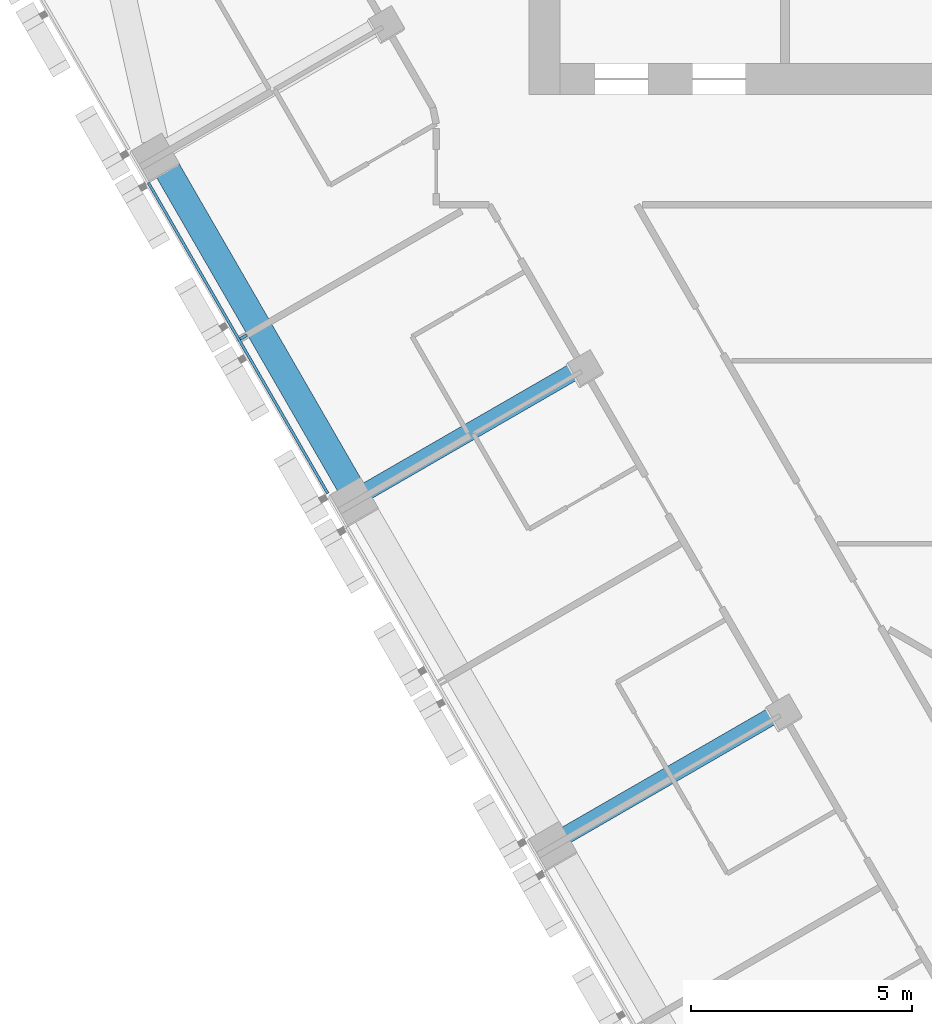
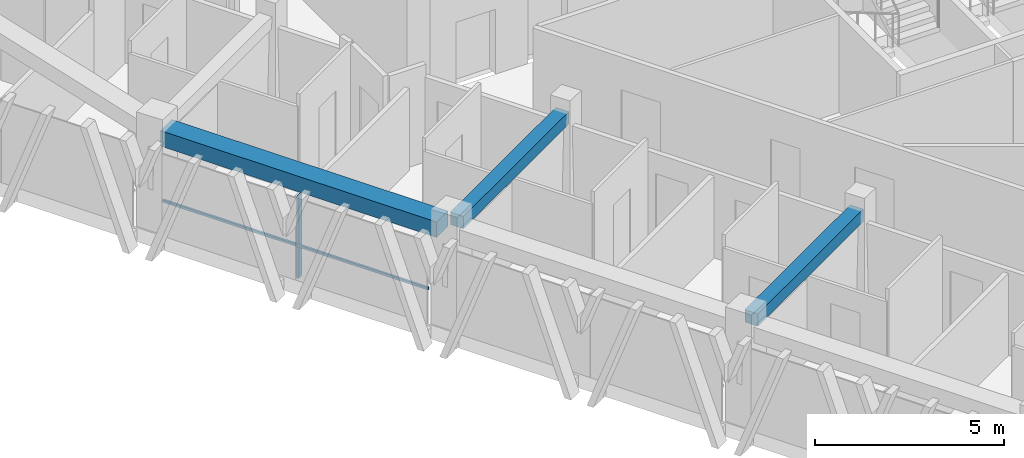
# One storey, part 3 of 16: 3 beams, 2 members, 1 element without a shape of its own.
"""IFC4 building model written with IfcOpenShell, lengths in metres."""

from ifc_helpers import new_model, si_unit, direction, frame, origin, origin_2d, place, context, subcontext, project, spatial, rectangle, extrude, material, layer, layer_set, material_profile, profile_set, type_object, element, aggregate, save


model = new_model("IFC4")

# Units and contexts
model_context = context("Model", 3, precision=1e-05, world=origin(), true_north=direction((0.0, 1.0)))
body_context = subcontext(model_context, "Body", "Model", "MODEL_VIEW")
ifc_project = project(units=[si_unit("LENGTHUNIT", "METRE"), si_unit("AREAUNIT", "SQUARE_METRE"), si_unit("VOLUMEUNIT", "CUBIC_METRE"), si_unit("PLANEANGLEUNIT", "RADIAN"), si_unit("MASSUNIT", "GRAM", prefix="KILO")], contexts=[model_context])

# Site, building, storey
site_placement = place(None, origin())
site = spatial("IfcSite", under=ifc_project, at=site_placement, CompositionType="ELEMENT")
building_placement = place(site_placement, origin())
building = spatial("IfcBuilding", under=site, at=building_placement, Name="Altiplano Prism Tower", CompositionType="ELEMENT")
storey_placement = place(building_placement, frame((0.0, 0.0, 178.199951171875)))
storey = spatial("IfcBuildingStorey", under=building, at=storey_placement, Name="L46", CompositionType="ELEMENT", Elevation=178.199951171875)

# Curtain wall, members
ifc_material_1 = material(Name="Aluminium and glass", Category="aluminium")
ifc_layer = layer(ifc_material_1, 0.280029296875)
ifc_layer_set = layer_set([ifc_layer], Name="Aluminium and glass")
curtain_wall_type = type_object("IfcCurtainWallType", Name="CW1 typical co-living unitised curtain wall", PredefinedType="NOTDEFINED", material=ifc_layer_set)
curtain_wall_placement = place(storey_placement, origin())
curtain_wall = element("IfcCurtainWall", 1, at=curtain_wall_placement, inside=storey, type_object=curtain_wall_type, Name="CW1 curtain wall south-west face L46", PredefinedType="NOTDEFINED")
ifc_material_2 = material(Name="Aluminium", Category="aluminium")
ifc_material_profile_1 = material_profile(ifc_material_2, rectangle(XDim=0.179931640625, YDim=0.06494140625, at=origin_2d()), Name="CW1 mullion 65 x 180")
ifc_profile_set_1 = profile_set([ifc_material_profile_1], Name="Aluminium")
member_type_1 = type_object("IfcMemberType", Name="CW1 mullion 65 x 180", PredefinedType="MULLION", material=ifc_profile_set_1)
member_1_placement = place(storey_placement, frame((65.837646484375, 87.208251953125, 0.0), z_axis=(0.0, 0.0, 1.0), x_axis=(0.866025406097, 0.499999995995, 0.0)))
member_1 = element("IfcMember", 2, at=member_1_placement, type_object=member_type_1, Name="CW1 mullion", PredefinedType="MULLION", context=body_context, shape_type="SweptSolid", body=[
    extrude(rectangle(XDim=0.179931640625, YDim=0.06494140625, at=origin_2d()), origin(), (0.0, 0.0, 1.0), 2.650146484375),
])
ifc_material_profile_2 = material_profile(ifc_material_2, rectangle(XDim=0.06005859375, YDim=0.080078125, at=origin_2d()), Name="CW1 transom 80 x 60")
ifc_profile_set_2 = profile_set([ifc_material_profile_2], Name="Aluminium")
member_type_2 = type_object("IfcMemberType", Name="CW1 transom 80 x 60", PredefinedType="USERDEFINED", material=ifc_profile_set_2)
member_2_placement = place(storey_placement, frame((63.683837890625, 90.6982421875, 1.10009765625), z_axis=(0.50001308349, -0.866017849896, 0.0), x_axis=(0.866017849896, 0.50001308349, 0.0)))
member_2 = element("IfcMember", 3, at=member_2_placement, type_object=member_type_2, Name="CW1 transom", ObjectType="TRANSOM", PredefinedType="USERDEFINED", context=body_context, shape_type="SweptSolid", body=[
    extrude(rectangle(XDim=0.06005859375, YDim=0.080078125, at=origin_2d()), origin(), (0.0, 0.0, 1.0), 8.119873046875),
])
aggregate(curtain_wall, [member_1, member_2])

# Beams
ifc_material_3 = material(Name="Concrete C60/75", Category="concrete")
ifc_material_profile_3 = material_profile(ifc_material_3, rectangle(XDim=0.60009765625, YDim=0.5, at=origin_2d()), Name="Edge beam 600x500")
ifc_profile_set_3 = profile_set([ifc_material_profile_3], Name="Concrete C60/75")
beam_type_1 = type_object("IfcBeamType", Name="Edge beam 600x500", PredefinedType="SPANDREL", material=ifc_profile_set_3)
beam_placement = place(storey_placement, frame((64.03271484375, 91.13134765625, 2.900146484375), z_axis=(0.499993714791, -0.866029032521, 0.0), x_axis=(0.866029032521, 0.499993714791, 0.0)))
element("IfcBeam", 4, at=beam_placement, inside=storey, type_object=beam_type_1, Name="Edge beam P11-P12 L47", PredefinedType="SPANDREL", context=body_context, shape_type="SweptSolid", body=[
    extrude(rectangle(XDim=0.60009765625, YDim=0.5, at=origin_2d()), origin(), (0.0, 0.0, 1.0), 8.43994140625),
])
ifc_material_profile_4 = material_profile(ifc_material_3, rectangle(XDim=0.39990234375, YDim=0.39990234375, at=origin_2d()), Name="Tie beam 400x400")
ifc_profile_set_4 = profile_set([ifc_material_profile_4], Name="Concrete C60/75")
beam_type_2 = type_object("IfcBeamType", Name="Tie beam 400x400", PredefinedType="BEAM", material=ifc_profile_set_4)
for number, where, z_axis, x_axis, name in (
    (5, (73.476318359375, 86.5146484375, 2.949951171875), (-0.866011758658, -0.500023633308, 0.0), (0.500023633308, -0.866011758658, 0.0), "Tie beam I12 L47"),
    (6, (77.976318359375, 78.720458984375, 2.949951171875), (-0.866011758658, -0.500023633308, 0.0), (0.500023633308, -0.866011758658, 0.0), "Tie beam I13 L47"),
):
    element("IfcBeam", number, at=place(storey_placement, frame(where, z_axis=z_axis, x_axis=x_axis)), inside=storey, type_object=beam_type_2, Name=name, PredefinedType="BEAM", context=body_context, shape_type="SweptSolid", body=[
        extrude(rectangle(XDim=0.39990234375, YDim=0.39990234375, at=origin_2d()), origin(), (0.0, 0.0, 1.0), 5.590087890625),
    ])

save(model, "model.ifc")
